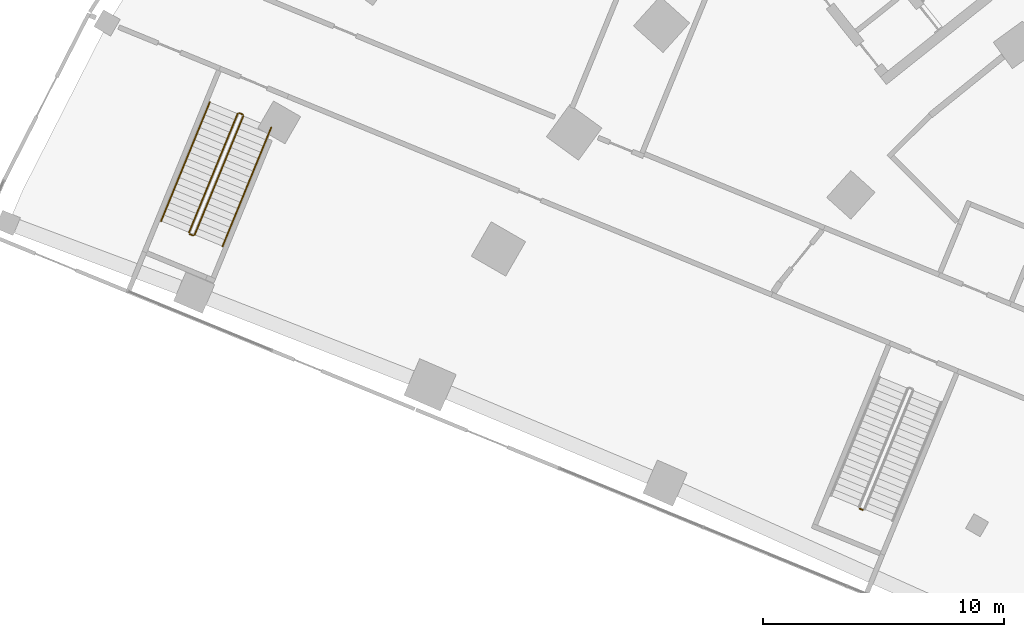
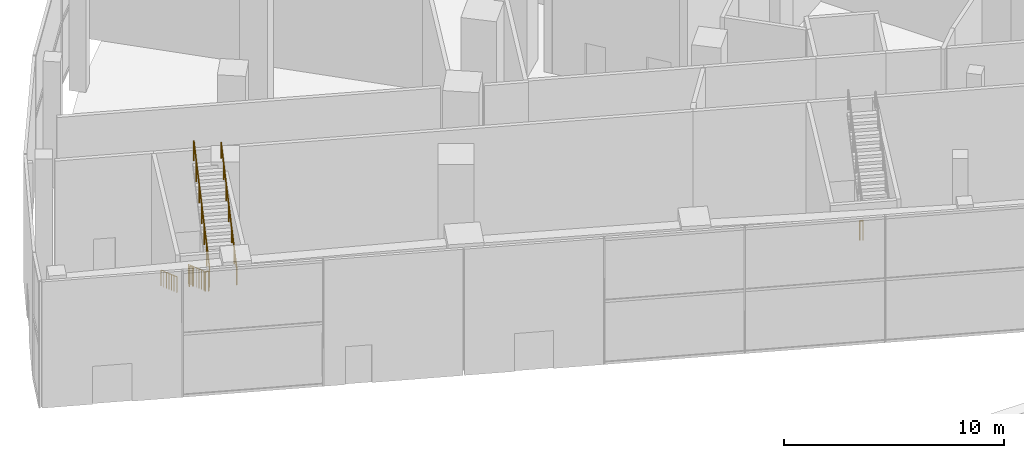
# One storey, part 48 of 60: 7 railings.
"""IFC4 building model written with IfcOpenShell, lengths in metres."""

import ifcopenshell
import ifcopenshell.guid

model = None  # the IFC model being written
_history = None  # IfcOwnerHistory: only IFC2X3 demands one
_inside = {}  # id of a spatial element -> (the spatial element, [elements in it])
_under = {}  # id of a project, library or spatial element -> (it, [spatial elements below it])
_declared = {}  # id of a project -> (the project, [libraries it declares])
_typed = {}  # id of a type object -> (the type object, [elements of that type])
_made_of = {}  # id of a material, layer set ... -> (it, [elements and type objects made of it])


def new_model(schema):
    """Start an empty IFC model of exactly this schema.

    Asked for "IFC4X3", IfcOpenShell would pick the latest addendum, in which some entities
    have other attributes; the version numbers below select the first issue.
    IFC2X3 requires an IfcOwnerHistory on every rooted entity: one is made here for all.
    """
    global model, _history
    if schema == "IFC4X3":
        model = ifcopenshell.file(schema_version=(4, 3, 0, 0))
    else:
        model = ifcopenshell.file(schema=schema)
    _inside.clear()
    _under.clear()
    _declared.clear()
    _typed.clear()
    _made_of.clear()
    _history = None
    if model.schema == "IFC2X3":
        org = make("IfcOrganization", Name="unknown")
        user = make(
            "IfcPersonAndOrganization",
            ThePerson=make("IfcPerson", FamilyName="unknown"),
            TheOrganization=org,
        )
        app = make(
            "IfcApplication",
            ApplicationDeveloper=org,
            Version="unknown",
            ApplicationFullName="unknown",
            ApplicationIdentifier="unknown",
        )
        _history = make(
            "IfcOwnerHistory",
            OwningUser=user,
            OwningApplication=app,
            ChangeAction="ADDED",
            CreationDate=0,
        )
    return model


def make(cls, **values):
    """One entity of the class cls with the attributes given. An attribute that is None is left unset."""
    return model.create_entity(
        cls, **{name: value for name, value in values.items() if value is not None}
    )


def rooted(cls, **values):
    """An entity with a GlobalId (a new one), such as an element, a storey or a relation."""
    return make(cls, GlobalId=ifcopenshell.guid.new(), OwnerHistory=_history, **values)


def si_unit(unit_type, name, prefix=None):
    """IfcSIUnit, for example si_unit("LENGTHUNIT", "METRE", prefix="MILLI")."""
    return make("IfcSIUnit", UnitType=unit_type, Prefix=prefix, Name=name)


def assignment(units):
    """IfcUnitAssignment: the units of a project."""
    return None if units is None else make("IfcUnitAssignment", Units=units)


def point(xyz):
    """IfcCartesianPoint."""
    return None if xyz is None else make("IfcCartesianPoint", Coordinates=xyz)


def direction(xyz):
    """IfcDirection."""
    return None if xyz is None else make("IfcDirection", DirectionRatios=xyz)


def frame(location, z_axis=None, x_axis=None):
    """IfcAxis2Placement3D, a coordinate frame: its origin and axes. An axis left out is left unset."""
    return make(
        "IfcAxis2Placement3D",
        Location=point(location),
        Axis=direction(z_axis),
        RefDirection=direction(x_axis),
    )


def frame_2d(location, x_axis=None):
    """IfcAxis2Placement2D, a coordinate frame in the plane: its origin and x axis."""
    return make(
        "IfcAxis2Placement2D", Location=point(location), RefDirection=direction(x_axis)
    )


def origin():
    """The frame at (0, 0, 0) with its axes left unset."""
    return frame((0.0, 0.0, 0.0))


def origin_2d():
    """The frame at (0, 0) in the plane with its x axis left unset."""
    return frame_2d((0.0, 0.0))


def place(relative_to, where):
    """IfcLocalPlacement: puts the frame where relative to a parent placement (None: the world)."""
    return make(
        "IfcLocalPlacement", PlacementRelTo=relative_to, RelativePlacement=where
    )


def context(
    kind, dimensions, precision=None, world=None, true_north=None, identifier=None
):
    """IfcGeometricRepresentationContext, for example the 3D "Model" context."""
    return make(
        "IfcGeometricRepresentationContext",
        ContextIdentifier=identifier,
        ContextType=kind,
        CoordinateSpaceDimension=dimensions,
        Precision=precision,
        WorldCoordinateSystem=world,
        TrueNorth=true_north,
    )


def subcontext(parent, identifier, kind, view, scale=None):
    """IfcGeometricRepresentationSubContext, for example "Body" below "Model"."""
    return make(
        "IfcGeometricRepresentationSubContext",
        ContextIdentifier=identifier,
        ContextType=kind,
        ParentContext=parent,
        TargetScale=scale,
        TargetView=view,
    )


def project(units=None, contexts=None):
    """IfcProject with its units and contexts."""
    return rooted(
        "IfcProject",
        Name="project",
        RepresentationContexts=contexts,
        UnitsInContext=assignment(units),
    )


def spatial(cls, under=None, at=None, **own):
    """A site, building, storey or space (cls), placed at a placement, below another one or the project."""
    s = rooted(cls, ObjectPlacement=at, **own)
    if under is not None:
        _under.setdefault(under.id(), (under, []))[1].append(s)
    return s


def profile(cls, at=None, kind="AREA", **sizes):
    """A parametric profile (cls). Its sizes go by their IFC names, for example OverallWidth=200.0."""
    return make(cls, ProfileType=kind, Position=at, **sizes)


def circle(**sizes):
    """IfcCircleProfileDef."""
    return profile("IfcCircleProfileDef", **sizes)


def extrude(swept, where, along, depth):
    """IfcExtrudedAreaSolid: the profile swept, set in the frame where, extruded along a direction by depth."""
    return make(
        "IfcExtrudedAreaSolid",
        SweptArea=swept,
        Position=where,
        ExtrudedDirection=direction(along),
        Depth=depth,
    )


def shape(context_of_items, identifier, shape_type, items):
    """IfcShapeRepresentation: the items that make up one representation, for example the "Body"."""
    return make(
        "IfcShapeRepresentation",
        ContextOfItems=context_of_items,
        RepresentationIdentifier=identifier,
        RepresentationType=shape_type,
        Items=items,
    )


def material(Name=None, Category=None):
    """IfcMaterial."""
    return make("IfcMaterial", Name=Name, Category=Category)


def made_of(thing, what):
    """Note that an element or type object is made of a material, layer set ...; save() writes the relation."""
    if what is not None:
        _made_of.setdefault(what.id(), (what, []))[1].append(thing)
    return thing


def type_object(cls, material=None, **own):
    """A type object (cls), such as IfcWallType, which elements share."""
    return made_of(rooted(cls, **own), material)


def element(
    cls,
    number,
    at=None,
    inside=None,
    cuts=None,
    type_object=None,
    material=None,
    context=None,
    identifier="Body",
    shape_type=None,
    held_by="IfcProductDefinitionShape",
    body=None,
    shapes=None,
    **own,
):
    """One element of the class cls, such as IfcWall. Its Tag is "e" and its number.

    at: its placement. inside: the storey or other place that contains it. cuts: it is an
    opening in that element (IfcRelVoidsElement). A single representation is given by context,
    identifier, shape_type and body (its items); several are given by shapes. held_by: the class
    of the entity that holds the representations. save() writes the other relations.
    """
    e = rooted(cls, Tag="e%d" % number, ObjectPlacement=at, **own)
    if body is not None:
        shapes = [shape(context, identifier, shape_type, body)]
    if shapes is not None:
        e.Representation = make(held_by, Representations=shapes)
    if inside is not None:
        _inside.setdefault(inside.id(), (inside, []))[1].append(e)
    if cuts is not None:
        rooted(
            "IfcRelVoidsElement", RelatingBuildingElement=cuts, RelatedOpeningElement=e
        )
    if type_object is not None:
        _typed.setdefault(type_object.id(), (type_object, []))[1].append(e)
    return made_of(e, material)


def aggregate(whole, parts):
    """IfcRelAggregates: a whole, such as a stair, and the parts it consists of."""
    return rooted("IfcRelAggregates", RelatingObject=whole, RelatedObjects=parts)


def save(model, path):
    """Write the relations noted so far, then the file.

    IfcRelAggregates (storeys below a building ...), IfcRelContainedInSpatialStructure (elements
    in a storey), IfcRelDefinesByType, IfcRelAssociatesMaterial and IfcRelDeclares: one each for
    every whole, place, type object, material and project.
    """
    for whole, parts in _under.values():
        aggregate(whole, parts)
    for where, things in _inside.values():
        rooted(
            "IfcRelContainedInSpatialStructure",
            RelatedElements=things,
            RelatingStructure=where,
        )
    for kind, things in _typed.values():
        rooted("IfcRelDefinesByType", RelatedObjects=things, RelatingType=kind)
    for what, things in _made_of.values():
        rooted("IfcRelAssociatesMaterial", RelatedObjects=things, RelatingMaterial=what)
    for by, libraries in _declared.values():
        rooted("IfcRelDeclares", RelatingContext=by, RelatedDefinitions=libraries)
    model.write(path)


model = new_model("IFC4")

# Units and contexts
model_context = context("Model", 3, precision=1e-05, world=origin(), true_north=direction((0.0, 1.0)))
body_context = subcontext(model_context, "Body", "Model", "MODEL_VIEW")
ifc_project = project(units=[si_unit("LENGTHUNIT", "METRE"), si_unit("AREAUNIT", "SQUARE_METRE"), si_unit("VOLUMEUNIT", "CUBIC_METRE"), si_unit("PLANEANGLEUNIT", "RADIAN"), si_unit("MASSUNIT", "GRAM", prefix="KILO")], contexts=[model_context])

# Site, building, storey
site_placement = place(None, origin())
site = spatial("IfcSite", under=ifc_project, at=site_placement, CompositionType="ELEMENT")
building_placement = place(site_placement, origin())
building = spatial("IfcBuilding", under=site, at=building_placement, Name="Stone Belt Terrace Tower", CompositionType="ELEMENT")
storey_placement = place(building_placement, origin())
storey = spatial("IfcBuildingStorey", under=building, at=storey_placement, Name="L00", CompositionType="ELEMENT", Elevation=0.0)

# Railings
ifc_material_1 = material(Name="Steel balustrade", Category="steel")
railing_type_1 = type_object("IfcRailingType", Name="Podium stair guard", PredefinedType="GUARDRAIL", material=ifc_material_1)
railing_1_placement = place(storey_placement, frame((-32.6669921875, 16.7392578125, 3.5)))
element("IfcRailing", 1, at=railing_1_placement, inside=storey, type_object=railing_type_1, Name="L00 PS1 stair guard 2", PredefinedType="GUARDRAIL", context=body_context, shape_type="SweptSolid", body=[
    extrude(circle(Radius=0.02392578125, at=origin_2d()), frame((0.0, 0.0, 1.076171875), z_axis=(0.925183283695, -0.379520607572, 0.0), x_axis=(0.379520607572, 0.925183283695, 0.0)), (0.0, 0.0, 1.0), 0.14990234375),
    extrude(circle(Radius=0.02099609375, at=origin_2d()), origin(), (0.0, 0.0, 1.0), 1.052001953125),
    extrude(circle(Radius=0.02099609375, at=origin_2d()), frame((0.138671875, -0.056884765625, 0.0)), (0.0, 0.0, 1.0), 1.052001953125),
])
railing_2_placement = place(storey_placement, frame((-58.435791015625, 33.104248046875, 0.175048828125)))
element("IfcRailing", 2, at=railing_2_placement, inside=storey, type_object=railing_type_1, Name="L00 PS2 stair guard 1", PredefinedType="GUARDRAIL", context=body_context, shape_type="SweptSolid", body=[
    extrude(circle(Radius=0.02392578125, at=origin_2d()), frame((0.0, 0.0, 1.076171875), z_axis=(-0.321598436884, -0.784655043911, 0.529991422062), x_axis=(0.925297482955, -0.379242096868, 0.0)), (0.0, 0.0, 1.0), 6.273681640625),
    extrude(circle(Radius=0.02099609375, at=origin_2d()), origin(), (0.0, 0.0, 1.0), 1.052001953125),
    extrude(circle(Radius=0.02099609375, at=origin_2d()), frame((-0.336181640625, -0.8203125, 0.55419921875)), (0.0, 0.0, 1.0), 1.052001953125),
    extrude(circle(Radius=0.02099609375, at=origin_2d()), frame((-0.672607421875, -1.640869140625, 1.1083984375)), (0.0, 0.0, 1.0), 1.052001953125),
    extrude(circle(Radius=0.02099609375, at=origin_2d()), frame((-1.0087890625, -2.46142578125, 1.66259765625)), (0.0, 0.0, 1.0), 1.052001953125),
    extrude(circle(Radius=0.02099609375, at=origin_2d()), frame((-1.344970703125, -3.28173828125, 2.216552734375)), (0.0, 0.0, 1.0), 1.052001953125),
    extrude(circle(Radius=0.02099609375, at=origin_2d()), frame((-1.681396484375, -4.10205078125, 2.770751953125)), (0.0, 0.0, 1.0), 1.052001953125),
    extrude(circle(Radius=0.02099609375, at=origin_2d()), frame((-2.017578125, -4.922607421875, 3.324951171875)), (0.0, 0.0, 1.0), 1.052001953125),
])
railing_3_placement = place(storey_placement, frame((-60.426025390625, 28.116455078125, 3.5)))
element("IfcRailing", 3, at=railing_3_placement, inside=storey, type_object=railing_type_1, Name="L00 PS2 stair guard 2", PredefinedType="GUARDRAIL", context=body_context, shape_type="SweptSolid", body=[
    extrude(circle(Radius=0.02392578125, at=origin_2d()), frame((0.0, 0.0, 1.076171875), z_axis=(0.925417366351, -0.378949466362, 0.0), x_axis=(0.378949466362, 0.925417366351, 0.0)), (0.0, 0.0, 1.0), 0.150146484375),
    extrude(circle(Radius=0.02099609375, at=origin_2d()), origin(), (0.0, 0.0, 1.0), 1.052001953125),
    extrude(circle(Radius=0.02099609375, at=origin_2d()), frame((0.138916015625, -0.056884765625, 0.0)), (0.0, 0.0, 1.0), 1.052001953125),
])
railing_4_placement = place(storey_placement, frame((-60.221923828125, 28.0869140625, 3.675048828125)))
element("IfcRailing", 4, at=railing_4_placement, inside=storey, type_object=railing_type_1, Name="L00 PS2 stair guard 3", PredefinedType="GUARDRAIL", context=body_context, shape_type="SweptSolid", body=[
    extrude(circle(Radius=0.02392578125, at=origin_2d()), frame((0.0, 0.0, 1.076171875), z_axis=(0.321598436884, 0.784655043911, 0.529991422062), x_axis=(-0.925297482955, 0.379242096868, 0.0)), (0.0, 0.0, 1.0), 6.273681640625),
    extrude(circle(Radius=0.02099609375, at=origin_2d()), origin(), (0.0, 0.0, 1.0), 1.052001953125),
    extrude(circle(Radius=0.02099609375, at=origin_2d()), frame((0.336181640625, 0.8203125, 0.55419921875)), (0.0, 0.0, 1.0), 1.052001953125),
    extrude(circle(Radius=0.02099609375, at=origin_2d()), frame((0.672607421875, 1.640869140625, 1.1083984375)), (0.0, 0.0, 1.0), 1.052001953125),
    extrude(circle(Radius=0.02099609375, at=origin_2d()), frame((1.0087890625, 2.46142578125, 1.66259765625)), (0.0, 0.0, 1.0), 1.052001953125),
    extrude(circle(Radius=0.02099609375, at=origin_2d()), frame((1.344970703125, 3.28173828125, 2.216552734375)), (0.0, 0.0, 1.0), 1.052001953125),
    extrude(circle(Radius=0.02099609375, at=origin_2d()), frame((1.681396484375, 4.10205078125, 2.770751953125)), (0.0, 0.0, 1.0), 1.052001953125),
    extrude(circle(Radius=0.02099609375, at=origin_2d()), frame((2.017578125, 4.922607421875, 3.324951171875)), (0.0, 0.0, 1.0), 1.052001953125),
])
railing_5_placement = place(storey_placement, frame((-58.37060546875, 33.131591796875, 0.0)))
element("IfcRailing", 5, at=railing_5_placement, inside=storey, type_object=railing_type_1, Name="L00 PS2 stair guard 4", PredefinedType="GUARDRAIL", context=body_context, shape_type="SweptSolid", body=[
    extrude(circle(Radius=0.02392578125, at=origin_2d()), frame((0.0, 0.0, 1.076171875), z_axis=(0.925417366351, -0.378949466362, 0.0), x_axis=(0.378949466362, 0.925417366351, 0.0)), (0.0, 0.0, 1.0), 0.150146484375),
    extrude(circle(Radius=0.02099609375, at=origin_2d()), origin(), (0.0, 0.0, 1.0), 1.052001953125),
    extrude(circle(Radius=0.02099609375, at=origin_2d()), frame((0.138916015625, -0.056884765625, 0.0)), (0.0, 0.0, 1.0), 1.052001953125),
])
ifc_material_2 = material(Name="Stainless steel handrail", Category="steel")
railing_type_2 = type_object("IfcRailingType", Name="Podium stair handrail", PredefinedType="HANDRAIL", material=ifc_material_2)
railing_6_placement = place(storey_placement, frame((-59.59228515625, 33.578369140625, 0.175048828125)))
element("IfcRailing", 6, at=railing_6_placement, inside=storey, type_object=railing_type_2, Name="L00 PS2 stair handrail 1", PredefinedType="HANDRAIL", context=body_context, shape_type="SweptSolid", body=[
    extrude(circle(Radius=0.02392578125, at=origin_2d()), frame((0.0, 0.0, 0.8759765625), z_axis=(-0.321598436884, -0.784655043911, 0.529991422062), x_axis=(0.925297482955, -0.379242096868, 0.0)), (0.0, 0.0, 1.0), 6.273681640625),
    extrude(circle(Radius=0.02099609375, at=origin_2d()), origin(), (0.0, 0.0, 1.0), 0.851806640625),
    extrude(circle(Radius=0.02099609375, at=origin_2d()), frame((-0.336181640625, -0.8203125, 0.55419921875)), (0.0, 0.0, 1.0), 0.851806640625),
    extrude(circle(Radius=0.02099609375, at=origin_2d()), frame((-0.672607421875, -1.640869140625, 1.1083984375)), (0.0, 0.0, 1.0), 0.851806640625),
    extrude(circle(Radius=0.02099609375, at=origin_2d()), frame((-1.0087890625, -2.46142578125, 1.66259765625)), (0.0, 0.0, 1.0), 0.851806640625),
    extrude(circle(Radius=0.02099609375, at=origin_2d()), frame((-1.344970703125, -3.28173828125, 2.216552734375)), (0.0, 0.0, 1.0), 0.851806640625),
    extrude(circle(Radius=0.02099609375, at=origin_2d()), frame((-1.681396484375, -4.10205078125, 2.770751953125)), (0.0, 0.0, 1.0), 0.851806640625),
    extrude(circle(Radius=0.02099609375, at=origin_2d()), frame((-2.017578125, -4.922607421875, 3.324951171875)), (0.0, 0.0, 1.0), 0.851806640625),
])
railing_7_placement = place(storey_placement, frame((-59.0654296875, 27.61279296875, 3.675048828125)))
element("IfcRailing", 7, at=railing_7_placement, inside=storey, type_object=railing_type_2, Name="L00 PS2 stair handrail 2", PredefinedType="HANDRAIL", context=body_context, shape_type="SweptSolid", body=[
    extrude(circle(Radius=0.02392578125, at=origin_2d()), frame((0.0, 0.0, 0.8759765625), z_axis=(0.321598436884, 0.784655043911, 0.529991422062), x_axis=(-0.925297482955, 0.379242096868, 0.0)), (0.0, 0.0, 1.0), 6.273681640625),
    extrude(circle(Radius=0.02099609375, at=origin_2d()), origin(), (0.0, 0.0, 1.0), 0.851806640625),
    extrude(circle(Radius=0.02099609375, at=origin_2d()), frame((0.336181640625, 0.8203125, 0.55419921875)), (0.0, 0.0, 1.0), 0.851806640625),
    extrude(circle(Radius=0.02099609375, at=origin_2d()), frame((0.672607421875, 1.640869140625, 1.1083984375)), (0.0, 0.0, 1.0), 0.851806640625),
    extrude(circle(Radius=0.02099609375, at=origin_2d()), frame((1.0087890625, 2.46142578125, 1.66259765625)), (0.0, 0.0, 1.0), 0.851806640625),
    extrude(circle(Radius=0.02099609375, at=origin_2d()), frame((1.344970703125, 3.28173828125, 2.216552734375)), (0.0, 0.0, 1.0), 0.851806640625),
    extrude(circle(Radius=0.02099609375, at=origin_2d()), frame((1.681396484375, 4.10205078125, 2.770751953125)), (0.0, 0.0, 1.0), 0.851806640625),
    extrude(circle(Radius=0.02099609375, at=origin_2d()), frame((2.017578125, 4.922607421875, 3.324951171875)), (0.0, 0.0, 1.0), 0.851806640625),
])

save(model, "model.ifc")
